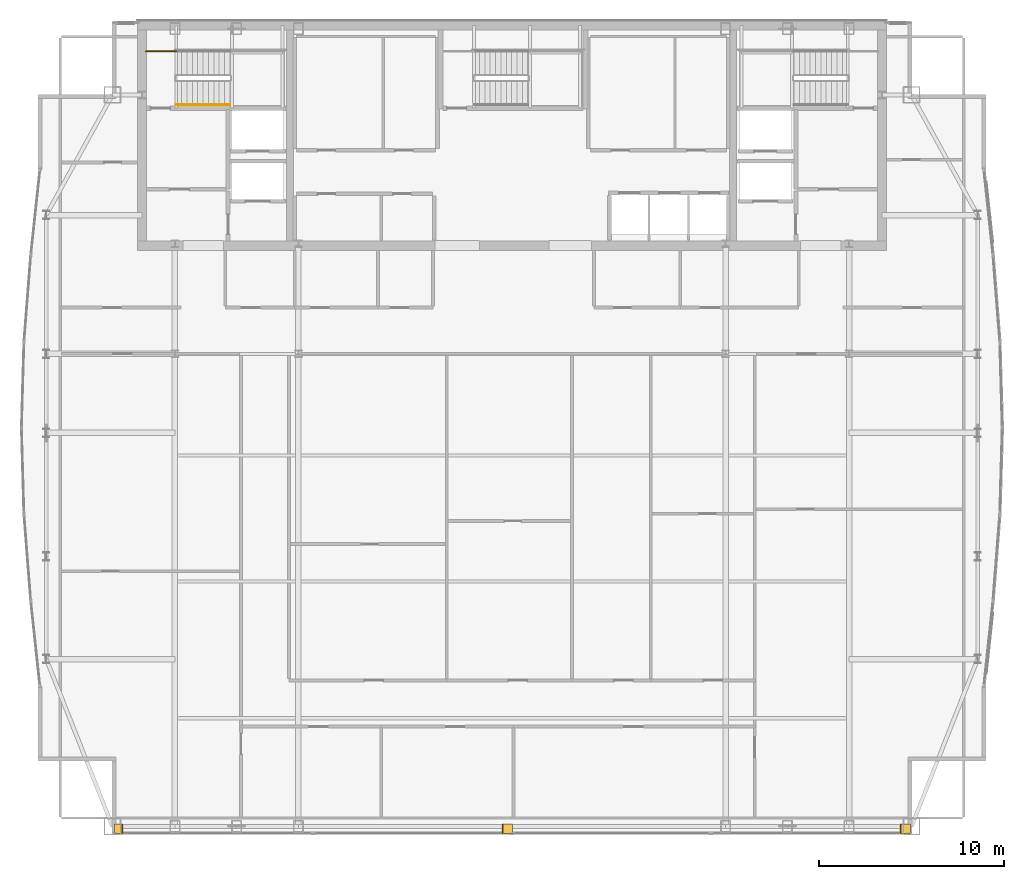
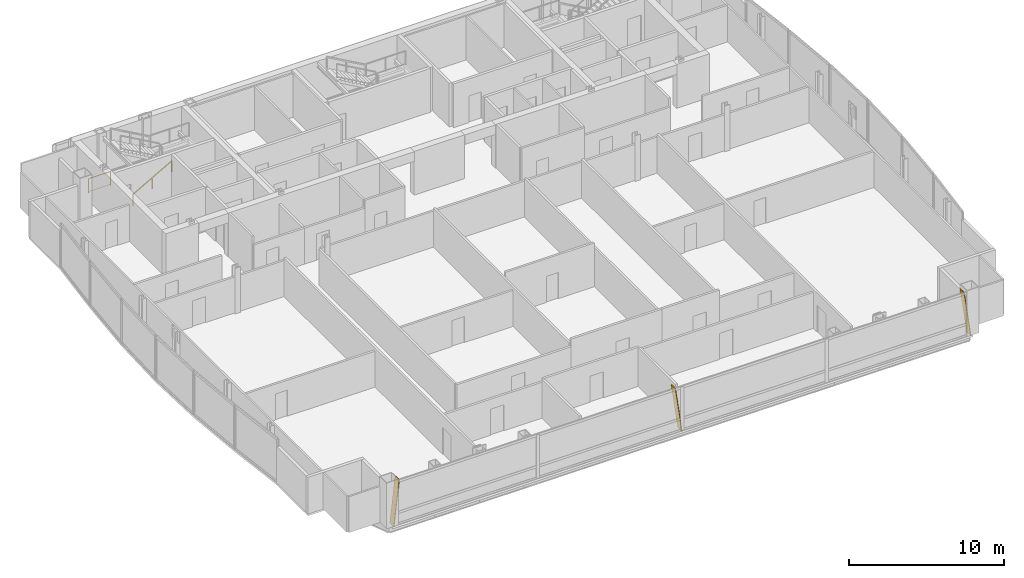
# One storey, part 26 of 27: 3 shading devices, 2 railings.
"""IFC4 building model written with IfcOpenShell, lengths in metres."""

from ifc_helpers import new_model, si_unit, direction, frame, origin, origin_2d, place, context, subcontext, project, spatial, polyline, rectangle, outline, extrude, material, layer, layer_set, type_object, element, save


model = new_model("IFC4")

# Units and contexts
model_context = context("Model", 3, precision=1e-05, world=origin(), true_north=direction((0.0, 1.0)))
body_context = subcontext(model_context, "Body", "Model", "MODEL_VIEW")
ifc_project = project(units=[si_unit("LENGTHUNIT", "METRE"), si_unit("AREAUNIT", "SQUARE_METRE"), si_unit("VOLUMEUNIT", "CUBIC_METRE"), si_unit("PLANEANGLEUNIT", "RADIAN"), si_unit("MASSUNIT", "GRAM", prefix="KILO")], contexts=[model_context])

# Site, building, storey
site_placement = place(None, origin())
site = spatial("IfcSite", under=ifc_project, at=site_placement, CompositionType="ELEMENT")
building_placement = place(site_placement, origin())
building = spatial("IfcBuilding", under=site, at=building_placement, Name="Khoronbel Lancet Exchange", CompositionType="ELEMENT")
storey_placement = place(building_placement, frame((0.0, 0.0, 343.39990234375)))
storey = spatial("IfcBuildingStorey", under=building, at=storey_placement, Name="L89", CompositionType="ELEMENT", Elevation=343.39990234375)

# Railings
ifc_material_1 = material(Name="Painted Steel Balustrade", Category="steel")
railing_type_1 = type_object("IfcRailingType", Name="RL-STG110", PredefinedType="GUARDRAIL", material=ifc_material_1)
railing_1_placement = place(storey_placement, frame((16.64990234375, 52.050048828125, 0.0)))
element("IfcRailing", 1, at=railing_1_placement, inside=storey, type_object=railing_type_1, Name="L89 ST1 stair guard 6", PredefinedType="GUARDRAIL", context=body_context, shape_type="SweptSolid", body=[
    extrude(rectangle(XDim=0.048095703125, YDim=0.048095703125, at=origin_2d()), frame((0.0, 0.0, 1.09619140625), z_axis=(1.0, 0.0, 0.0), x_axis=(0.0, 1.0, 0.0)), (0.0, 0.0, 1.0), 1.650146484375),
    extrude(rectangle(XDim=0.02392578125, YDim=0.02392578125, at=origin_2d()), frame((0.0, 0.0, 0.080078125), z_axis=(1.0, 0.0, 0.0), x_axis=(0.0, 1.0, 0.0)), (0.0, 0.0, 1.0), 1.650146484375),
    extrude(rectangle(XDim=0.0419921875, YDim=0.0419921875, at=origin_2d()), origin(), (0.0, 0.0, 1.0), 1.072021484375),
    extrude(rectangle(XDim=0.0419921875, YDim=0.0419921875, at=origin_2d()), frame((1.650146484375, 0.0, 0.0)), (0.0, 0.0, 1.0), 1.072021484375),
])
ifc_material_2 = material(Name="Brushed Stainless Steel 316", Category="steel")
railing_type_2 = type_object("IfcRailingType", Name="RL-STH92", PredefinedType="HANDRAIL", material=ifc_material_2)
railing_2_placement = place(storey_placement, frame((18.300048828125, 49.169921875, 0.163818359375)))
element("IfcRailing", 2, at=railing_2_placement, inside=storey, type_object=railing_type_2, Name="L89 ST1 stair handrail 1", PredefinedType="HANDRAIL", context=body_context, shape_type="SweptSolid", body=[
    extrude(rectangle(XDim=0.048095703125, YDim=0.048095703125, at=origin_2d()), frame((0.0, 0.0, 0.8759765625), z_axis=(0.870928581787, 0.0, 0.491409610636), x_axis=(0.0, 1.0, 0.0)), (0.0, 0.0, 1.0), 3.32958984375),
    extrude(rectangle(XDim=0.0419921875, YDim=0.0419921875, at=origin_2d()), origin(), (0.0, 0.0, 1.0), 0.851806640625),
    extrude(rectangle(XDim=0.0419921875, YDim=0.0419921875, at=origin_2d()), frame((1.449951171875, 0.0, 0.818115234375)), (0.0, 0.0, 1.0), 0.851806640625),
    extrude(rectangle(XDim=0.0419921875, YDim=0.0419921875, at=origin_2d()), frame((2.89990234375, 0.0, 1.63623046875)), (0.0, 0.0, 1.0), 0.851806640625),
])

# Shading devices
ifc_material_3 = material(Name="Bronze-Anodised Aluminium 6063-T6", Category="aluminium")
ifc_layer = layer(ifc_material_3, 0.054931640625, Name="Bronze-Anodised Aluminium 6063-T6")
ifc_layer_set = layer_set([ifc_layer], Name="Bronze-Anodised Aluminium 6063-T6")
shading_device_type = type_object("IfcShadingDeviceType", Name="SHD-FIN1", PredefinedType="USERDEFINED", material=ifc_layer_set)
for number, where, z_axis, x_axis, name in (
    (3, (57.987548828125, 9.77001953125, -0.079833984375), (0.990082143633, 0.0, 0.140489675274), (0.0, 1.0, 0.0), "Slanted bronze solar fin CW-L89-E26-0"),
    (4, (36.4775390625, 9.77001953125, -0.079833984375), (0.990082143633, 0.0, 0.140489675274), (0.0, 1.0, 0.0), "Slanted bronze solar fin CW-L89-E26-2"),
):
    element("IfcShadingDevice", number, at=place(storey_placement, frame(where, z_axis=z_axis, x_axis=x_axis)), inside=storey, type_object=shading_device_type, Name=name, ObjectType="FIN", PredefinedType="USERDEFINED", context=body_context, shape_type="SweptSolid", body=[
        extrude(outline(polyline([(0.0, 0.0), (0.52001953125, 0.0), (0.52001953125, 3.595458984375), (0.0, 3.595458984375), (0.0, 0.0)])), origin(), (0.0, 0.0, -1.0), 0.054931640625),
    ])
shading_device_placement = place(storey_placement, frame((14.967529296875, 9.77001953125, -0.079833984375), z_axis=(-0.99389951861, 0.0, 0.110289378034), x_axis=(0.0, 1.0, 0.0)))
element("IfcShadingDevice", 5, at=shading_device_placement, inside=storey, type_object=shading_device_type, Name="Slanted bronze solar fin CW-L89-E26-4", ObjectType="FIN", PredefinedType="USERDEFINED", context=body_context, shape_type="SweptSolid", body=[
    extrude(outline(polyline([(0.0, 0.0), (0.52001953125, 0.0), (0.52001953125, -3.58154296875), (0.0, -3.58154296875), (0.0, 0.0)])), origin(), (0.0, 0.0, -1.0), 0.054931640625),
])

save(model, "model.ifc")
